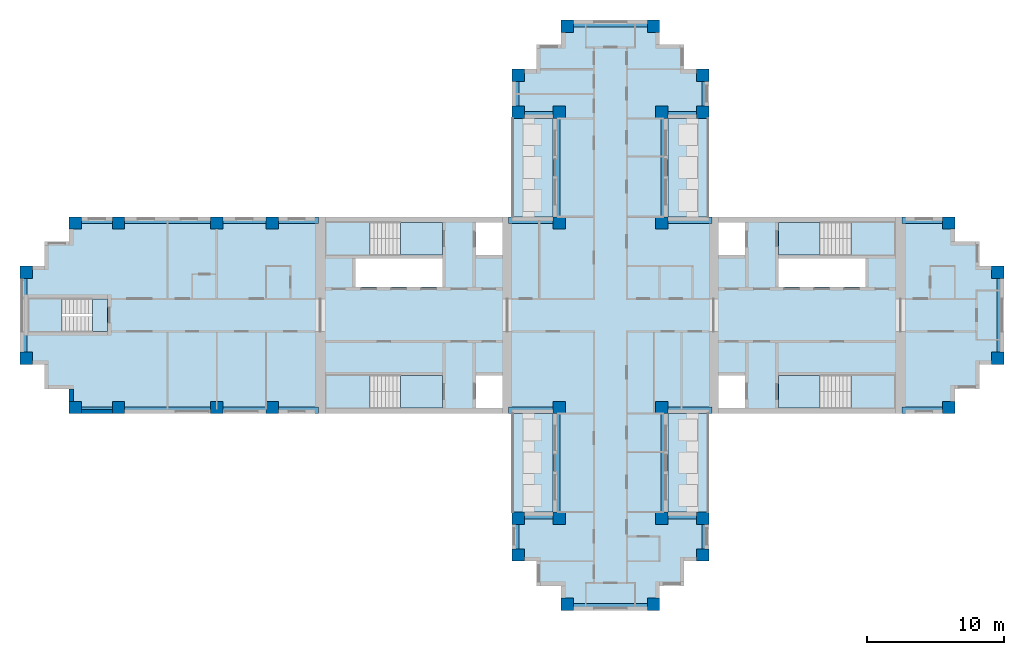
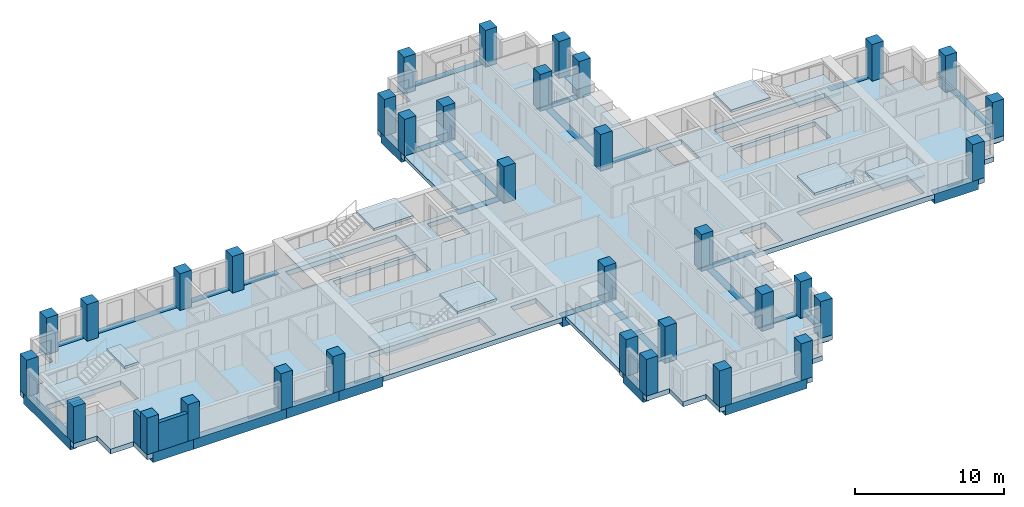
# One storey, part 1 of 10: 34 columns, 30 beams, 15 slabs, 2 walls, 5 elements without a shape of their own.
"""IFC4 building model written with IfcOpenShell, lengths in metres."""

from ifc_helpers import new_model, si_unit, direction, frame, frame_2d, origin, origin_2d, place, context, subcontext, project, spatial, polyline, rectangle, outline, extrude, material, layer, layer_set, material_profile, profile_set, type_object, element, aggregate, save


model = new_model("IFC4")

# Units and contexts
model_context = context("Model", 3, precision=1e-05, world=origin(), true_north=direction((0.0, 1.0)))
body_context = subcontext(model_context, "Body", "Model", "MODEL_VIEW")
ifc_project = project(units=[si_unit("LENGTHUNIT", "METRE"), si_unit("AREAUNIT", "SQUARE_METRE"), si_unit("VOLUMEUNIT", "CUBIC_METRE"), si_unit("PLANEANGLEUNIT", "RADIAN"), si_unit("MASSUNIT", "GRAM", prefix="KILO")], contexts=[model_context])

# Site, building, storey
site_placement = place(None, origin())
site = spatial("IfcSite", under=ifc_project, at=site_placement, CompositionType="ELEMENT")
building_placement = place(site_placement, origin())
building = spatial("IfcBuilding", under=site, at=building_placement, Name="Fustian Cross Tower", CompositionType="ELEMENT")
storey_placement = place(building_placement, frame((0.0, 0.0, 191.699951171875)))
storey = spatial("IfcBuildingStorey", under=building, at=storey_placement, Name="L60", CompositionType="ELEMENT", Elevation=191.699951171875)

# Columns
ifc_material_1 = material(Name="Concrete C40/50", Category="concrete")
ifc_material_profile_1 = material_profile(ifc_material_1, rectangle(XDim=0.89990234375, YDim=0.89990234375, at=origin_2d()), Name="RC 900x900")
ifc_profile_set_1 = profile_set([ifc_material_profile_1], Name="Concrete C40/50")
column_type = type_object("IfcColumnType", Name="COLUMN RC 900x900 C40/50", PredefinedType="COLUMN", material=ifc_profile_set_1)
for number, where, z_axis, x_axis, name in (
    (1, (-42.75, -3.14990234375, 0.0), (0.0, 0.0, 1.0), (1.0, 0.0, 0.0), "COLUMN 001"),
    (2, (-42.75, 3.14990234375, 0.0), (0.0, 0.0, 1.0), (1.0, 0.0, 0.0), "COLUMN 002"),
    (3, (-39.14990234375, -6.75, 0.0), (0.0, 0.0, 1.0), (1.0, 0.0, 0.0), "COLUMN 003"),
    (4, (-39.14990234375, 6.75, 0.0), (0.0, 0.0, 1.0), (1.0, 0.0, 0.0), "COLUMN 004"),
    (5, (-36.0, -6.75, 0.0), (0.0, 0.0, 1.0), (1.0, 0.0, 0.0), "COLUMN 005"),
    (6, (-36.0, 6.75, 0.0), (0.0, 0.0, 1.0), (1.0, 0.0, 0.0), "COLUMN 006"),
    (7, (-28.800048828125, -6.75, 0.0), (0.0, 0.0, 1.0), (1.0, 0.0, 0.0), "COLUMN 007"),
    (8, (-28.800048828125, 6.75, 0.0), (0.0, 0.0, 1.0), (1.0, 0.0, 0.0), "COLUMN 010"),
    (9, (-24.75, -6.75, 0.0), (0.0, 0.0, 1.0), (1.0, 0.0, 0.0), "COLUMN 011"),
    (10, (-24.75, 6.75, 0.0), (0.0, 0.0, 1.0), (1.0, 0.0, 0.0), "COLUMN 012"),
    (11, (-6.75, -17.550048828125, 0.0), (0.0, 0.0, 1.0), (1.0, 0.0, 0.0), "COLUMN 017"),
    (12, (-6.75, -14.85009765625, 0.0), (0.0, 0.0, 1.0), (1.0, 0.0, 0.0), "COLUMN 018"),
    (13, (-6.75, 14.85009765625, 0.0), (0.0, 0.0, 1.0), (1.0, 0.0, 0.0), "COLUMN 019"),
    (14, (-6.75, 17.550048828125, 0.0), (0.0, 0.0, 1.0), (1.0, 0.0, 0.0), "COLUMN 020"),
    (15, (-3.75, -14.85009765625, 0.0), (0.0, 0.0, 1.0), (1.0, 0.0, 0.0), "COLUMN 025"),
    (16, (-3.75, -6.75, 0.0), (0.0, 0.0, 1.0), (1.0, 0.0, 0.0), "COLUMN 026"),
    (17, (-3.75, 6.75, 0.0), (0.0, 0.0, 1.0), (1.0, 0.0, 0.0), "COLUMN 027"),
    (18, (-3.75, 14.85009765625, 0.0), (0.0, 0.0, 1.0), (1.0, 0.0, 0.0), "COLUMN 028"),
    (19, (-3.14990234375, -21.14990234375, 0.0), (0.0, 0.0, 1.0), (1.0, 0.0, 0.0), "COLUMN 030"),
    (20, (-3.14990234375, 21.14990234375, 0.0), (0.0, 0.0, 1.0), (1.0, 0.0, 0.0), "COLUMN 031"),
    (21, (3.14990234375, -21.14990234375, 0.0), (0.0, 0.0, 1.0), (1.0, 0.0, 0.0), "COLUMN 034"),
    (22, (3.14990234375, 21.14990234375, 0.0), (0.0, 0.0, 1.0), (1.0, 0.0, 0.0), "COLUMN 035"),
    (23, (3.75, -14.85009765625, 0.0), (0.0, 0.0, 1.0), (1.0, 0.0, 0.0), "COLUMN 037"),
    (24, (3.75, -6.75, 0.0), (0.0, 0.0, 1.0), (1.0, 0.0, 0.0), "COLUMN 038"),
    (25, (3.75, 6.75, 0.0), (0.0, 0.0, 1.0), (1.0, 0.0, 0.0), "COLUMN 039"),
    (26, (3.75, 14.85009765625, 0.0), (0.0, 0.0, 1.0), (1.0, 0.0, 0.0), "COLUMN 040"),
    (27, (6.75, -17.550048828125, 0.0), (0.0, 0.0, 1.0), (1.0, 0.0, 0.0), "COLUMN 045"),
    (28, (6.75, -14.85009765625, 0.0), (0.0, 0.0, 1.0), (1.0, 0.0, 0.0), "COLUMN 046"),
    (29, (6.75, 14.85009765625, 0.0), (0.0, 0.0, 1.0), (1.0, 0.0, 0.0), "COLUMN 047"),
    (30, (6.75, 17.550048828125, 0.0), (0.0, 0.0, 1.0), (1.0, 0.0, 0.0), "COLUMN 048"),
    (31, (24.75, -6.75, 0.0), (0.0, 0.0, 1.0), (1.0, 0.0, 0.0), "COLUMN 053"),
    (32, (24.75, 6.75, 0.0), (0.0, 0.0, 1.0), (1.0, 0.0, 0.0), "COLUMN 054"),
    (33, (28.35009765625, -3.14990234375, 0.0), (0.0, 0.0, 1.0), (1.0, 0.0, 0.0), "COLUMN 056"),
    (34, (28.35009765625, 3.14990234375, 0.0), (0.0, 0.0, 1.0), (1.0, 0.0, 0.0), "COLUMN 057"),
):
    element("IfcColumn", number, at=place(storey_placement, frame(where, z_axis=z_axis, x_axis=x_axis)), inside=storey, type_object=column_type, Name=name, PredefinedType="COLUMN", context=body_context, shape_type="SweptSolid", body=[
        extrude(rectangle(XDim=0.89990234375, YDim=0.89990234375, at=origin_2d()), origin(), (0.0, 0.0, 1.0), 3.0),
    ])

# Beams
ifc_material_2 = material(Name="Concrete C50/60", Category="concrete")
ifc_material_profile_2 = material_profile(ifc_material_2, rectangle(XDim=0.5, YDim=0.800048828125, at=origin_2d()), Name="RC 500x800")
ifc_profile_set_2 = profile_set([ifc_material_profile_2], Name="Concrete C50/60")
beam_type = type_object("IfcBeamType", Name="EDGE BEAM RC 500x800 C50/60", PredefinedType="SPANDREL", material=ifc_profile_set_2)
beam_1_placement = place(storey_placement, frame((21.35009765625, -6.949951171875, -0.39990234375), z_axis=(1.0, 0.0, 0.0), x_axis=(0.0, 1.0, 0.0)))
element("IfcBeam", 35, at=beam_1_placement, inside=storey, type_object=beam_type, Name="EDGE BEAM L60-01", PredefinedType="SPANDREL", context=body_context, shape_type="SweptSolid", body=[
    extrude(rectangle(XDim=0.5, YDim=0.800048828125, at=origin_2d()), origin(), (0.0, 0.0, 1.0), 3.39990234375),
])
beam_2_placement = place(storey_placement, frame((28.550048828125, -3.14990234375, -0.39990234375), z_axis=(0.0, 1.0, 0.0), x_axis=(-1.0, 0.0, 0.0)))
element("IfcBeam", 36, at=beam_2_placement, inside=storey, type_object=beam_type, Name="EDGE BEAM L60-02", PredefinedType="SPANDREL", context=body_context, shape_type="SweptSolid", body=[
    extrude(rectangle(XDim=0.5, YDim=0.800048828125, at=origin_2d()), origin(), (0.0, 0.0, 1.0), 6.2998046875),
])
beam_3_placement = place(storey_placement, frame((24.75, 6.949951171875, -0.39990234375), z_axis=(-1.0, 0.0, 0.0), x_axis=(0.0, -1.0, 0.0)))
element("IfcBeam", 37, at=beam_3_placement, inside=storey, type_object=beam_type, Name="EDGE BEAM L60-03", PredefinedType="SPANDREL", context=body_context, shape_type="SweptSolid", body=[
    extrude(rectangle(XDim=0.5, YDim=0.800048828125, at=origin_2d()), origin(), (0.0, 0.0, 1.0), 3.39990234375),
])
beam_4_placement = place(storey_placement, frame((7.449951171875, 6.949951171875, -0.39990234375), z_axis=(-1.0, 0.0, 0.0), x_axis=(0.0, -1.0, 0.0)))
element("IfcBeam", 38, at=beam_4_placement, inside=storey, type_object=beam_type, Name="EDGE BEAM L60-04", PredefinedType="SPANDREL", context=body_context, shape_type="SweptSolid", body=[
    extrude(rectangle(XDim=0.5, YDim=0.800048828125, at=origin_2d()), origin(), (0.0, 0.0, 1.0), 3.699951171875),
])
beam_5_placement = place(storey_placement, frame((3.949951171875, 6.75, -0.39990234375), z_axis=(0.0, 1.0, 0.0), x_axis=(-1.0, 0.0, 0.0)))
element("IfcBeam", 39, at=beam_5_placement, inside=storey, type_object=beam_type, Name="EDGE BEAM L60-05", PredefinedType="SPANDREL", context=body_context, shape_type="SweptSolid", body=[
    extrude(rectangle(XDim=0.5, YDim=0.800048828125, at=origin_2d()), origin(), (0.0, 0.0, 1.0), 8.10009765625),
])
beam_6_placement = place(storey_placement, frame((3.75, 14.64990234375, -0.39990234375), z_axis=(1.0, 0.0, 0.0), x_axis=(0.0, 1.0, 0.0)))
element("IfcBeam", 40, at=beam_6_placement, inside=storey, type_object=beam_type, Name="EDGE BEAM L60-06", PredefinedType="SPANDREL", context=body_context, shape_type="SweptSolid", body=[
    extrude(rectangle(XDim=0.5, YDim=0.800048828125, at=origin_2d()), origin(), (0.0, 0.0, 1.0), 3.0),
])
beam_7_placement = place(storey_placement, frame((6.949951171875, 14.85009765625, -0.39990234375), z_axis=(0.0, 1.0, 0.0), x_axis=(-1.0, 0.0, 0.0)))
element("IfcBeam", 41, at=beam_7_placement, inside=storey, type_object=beam_type, Name="EDGE BEAM L60-07", PredefinedType="SPANDREL", context=body_context, shape_type="SweptSolid", body=[
    extrude(rectangle(XDim=0.5, YDim=0.800048828125, at=origin_2d()), origin(), (0.0, 0.0, 1.0), 2.699951171875),
])
beam_8_placement = place(storey_placement, frame((3.14990234375, 21.35009765625, -0.39990234375), z_axis=(-1.0, 0.0, 0.0), x_axis=(0.0, -1.0, 0.0)))
element("IfcBeam", 42, at=beam_8_placement, inside=storey, type_object=beam_type, Name="EDGE BEAM L60-08", PredefinedType="SPANDREL", context=body_context, shape_type="SweptSolid", body=[
    extrude(rectangle(XDim=0.5, YDim=0.800048828125, at=origin_2d()), origin(), (0.0, 0.0, 1.0), 6.2998046875),
])
beam_9_placement = place(storey_placement, frame((-6.949951171875, 17.550048828125, -0.39990234375), z_axis=(0.0, -1.0, 0.0), x_axis=(1.0, 0.0, 0.0)))
element("IfcBeam", 43, at=beam_9_placement, inside=storey, type_object=beam_type, Name="EDGE BEAM L60-09", PredefinedType="SPANDREL", context=body_context, shape_type="SweptSolid", body=[
    extrude(rectangle(XDim=0.5, YDim=0.800048828125, at=origin_2d()), origin(), (0.0, 0.0, 1.0), 2.699951171875),
])
beam_10_placement = place(storey_placement, frame((-6.75, 14.64990234375, -0.39990234375), z_axis=(1.0, 0.0, 0.0), x_axis=(0.0, 1.0, 0.0)))
element("IfcBeam", 44, at=beam_10_placement, inside=storey, type_object=beam_type, Name="EDGE BEAM L60-10", PredefinedType="SPANDREL", context=body_context, shape_type="SweptSolid", body=[
    extrude(rectangle(XDim=0.5, YDim=0.800048828125, at=origin_2d()), origin(), (0.0, 0.0, 1.0), 3.0),
])
beam_11_placement = place(storey_placement, frame((-3.949951171875, 14.85009765625, -0.39990234375), z_axis=(0.0, -1.0, 0.0), x_axis=(1.0, 0.0, 0.0)))
element("IfcBeam", 45, at=beam_11_placement, inside=storey, type_object=beam_type, Name="EDGE BEAM L60-11", PredefinedType="SPANDREL", context=body_context, shape_type="SweptSolid", body=[
    extrude(rectangle(XDim=0.5, YDim=0.800048828125, at=origin_2d()), origin(), (0.0, 0.0, 1.0), 8.10009765625),
])
beam_12_placement = place(storey_placement, frame((-3.75, 6.949951171875, -0.39990234375), z_axis=(-1.0, 0.0, 0.0), x_axis=(0.0, -1.0, 0.0)))
element("IfcBeam", 46, at=beam_12_placement, inside=storey, type_object=beam_type, Name="EDGE BEAM L60-12", PredefinedType="SPANDREL", context=body_context, shape_type="SweptSolid", body=[
    extrude(rectangle(XDim=0.5, YDim=0.800048828125, at=origin_2d()), origin(), (0.0, 0.0, 1.0), 3.699951171875),
])
beam_13_placement = place(storey_placement, frame((-21.35009765625, 6.949951171875, -0.39990234375), z_axis=(-1.0, 0.0, 0.0), x_axis=(0.0, -1.0, 0.0)))
element("IfcBeam", 47, at=beam_13_placement, inside=storey, type_object=beam_type, Name="EDGE BEAM L60-13", PredefinedType="SPANDREL", context=body_context, shape_type="SweptSolid", body=[
    extrude(rectangle(XDim=0.5, YDim=0.800048828125, at=origin_2d()), origin(), (0.0, 0.0, 1.0), 3.39990234375),
])
beam_14_placement = place(storey_placement, frame((-24.75, 6.949951171875, -0.39990234375), z_axis=(-1.0, 0.0, 0.0), x_axis=(0.0, -1.0, 0.0)))
element("IfcBeam", 48, at=beam_14_placement, inside=storey, type_object=beam_type, Name="EDGE BEAM L60-14", PredefinedType="SPANDREL", context=body_context, shape_type="SweptSolid", body=[
    extrude(rectangle(XDim=0.5, YDim=0.800048828125, at=origin_2d()), origin(), (0.0, 0.0, 1.0), 4.050048828125),
])
beam_15_placement = place(storey_placement, frame((-28.800048828125, 6.949951171875, -0.39990234375), z_axis=(-1.0, 0.0, 0.0), x_axis=(0.0, -1.0, 0.0)))
element("IfcBeam", 49, at=beam_15_placement, inside=storey, type_object=beam_type, Name="EDGE BEAM L60-15", PredefinedType="SPANDREL", context=body_context, shape_type="SweptSolid", body=[
    extrude(rectangle(XDim=0.5, YDim=0.800048828125, at=origin_2d()), origin(), (0.0, 0.0, 1.0), 7.199951171875),
])
beam_16_placement = place(storey_placement, frame((-36.0, 6.949951171875, -0.39990234375), z_axis=(-1.0, 0.0, 0.0), x_axis=(0.0, -1.0, 0.0)))
element("IfcBeam", 50, at=beam_16_placement, inside=storey, type_object=beam_type, Name="EDGE BEAM L60-16", PredefinedType="SPANDREL", context=body_context, shape_type="SweptSolid", body=[
    extrude(rectangle(XDim=0.5, YDim=0.800048828125, at=origin_2d()), origin(), (0.0, 0.0, 1.0), 3.14990234375),
])
beam_17_placement = place(storey_placement, frame((-42.949951171875, 3.14990234375, -0.39990234375), z_axis=(0.0, -1.0, 0.0), x_axis=(1.0, 0.0, 0.0)))
element("IfcBeam", 51, at=beam_17_placement, inside=storey, type_object=beam_type, Name="EDGE BEAM L60-17", PredefinedType="SPANDREL", context=body_context, shape_type="SweptSolid", body=[
    extrude(rectangle(XDim=0.5, YDim=0.800048828125, at=origin_2d()), origin(), (0.0, 0.0, 1.0), 6.2998046875),
])
beam_18_placement = place(storey_placement, frame((-39.14990234375, -6.949951171875, -0.39990234375), z_axis=(1.0, 0.0, 0.0), x_axis=(0.0, 1.0, 0.0)))
element("IfcBeam", 52, at=beam_18_placement, inside=storey, type_object=beam_type, Name="EDGE BEAM L60-18", PredefinedType="SPANDREL", context=body_context, shape_type="SweptSolid", body=[
    extrude(rectangle(XDim=0.5, YDim=0.800048828125, at=origin_2d()), origin(), (0.0, 0.0, 1.0), 3.14990234375),
])
beam_19_placement = place(storey_placement, frame((-36.0, -6.949951171875, -0.39990234375), z_axis=(1.0, 0.0, 0.0), x_axis=(0.0, 1.0, 0.0)))
element("IfcBeam", 53, at=beam_19_placement, inside=storey, type_object=beam_type, Name="EDGE BEAM L60-19", PredefinedType="SPANDREL", context=body_context, shape_type="SweptSolid", body=[
    extrude(rectangle(XDim=0.5, YDim=0.800048828125, at=origin_2d()), origin(), (0.0, 0.0, 1.0), 7.199951171875),
])
beam_20_placement = place(storey_placement, frame((-28.800048828125, -6.949951171875, -0.39990234375), z_axis=(1.0, 0.0, 0.0), x_axis=(0.0, 1.0, 0.0)))
element("IfcBeam", 54, at=beam_20_placement, inside=storey, type_object=beam_type, Name="EDGE BEAM L60-20", PredefinedType="SPANDREL", context=body_context, shape_type="SweptSolid", body=[
    extrude(rectangle(XDim=0.5, YDim=0.800048828125, at=origin_2d()), origin(), (0.0, 0.0, 1.0), 4.050048828125),
])
beam_21_placement = place(storey_placement, frame((-24.75, -6.949951171875, -0.39990234375), z_axis=(1.0, 0.0, 0.0), x_axis=(0.0, 1.0, 0.0)))
element("IfcBeam", 55, at=beam_21_placement, inside=storey, type_object=beam_type, Name="EDGE BEAM L60-21", PredefinedType="SPANDREL", context=body_context, shape_type="SweptSolid", body=[
    extrude(rectangle(XDim=0.5, YDim=0.800048828125, at=origin_2d()), origin(), (0.0, 0.0, 1.0), 3.39990234375),
])
beam_22_placement = place(storey_placement, frame((-7.449951171875, -6.949951171875, -0.39990234375), z_axis=(1.0, 0.0, 0.0), x_axis=(0.0, 1.0, 0.0)))
element("IfcBeam", 56, at=beam_22_placement, inside=storey, type_object=beam_type, Name="EDGE BEAM L60-22", PredefinedType="SPANDREL", context=body_context, shape_type="SweptSolid", body=[
    extrude(rectangle(XDim=0.5, YDim=0.800048828125, at=origin_2d()), origin(), (0.0, 0.0, 1.0), 3.699951171875),
])
beam_23_placement = place(storey_placement, frame((-3.949951171875, -6.75, -0.39990234375), z_axis=(0.0, -1.0, 0.0), x_axis=(1.0, 0.0, 0.0)))
element("IfcBeam", 57, at=beam_23_placement, inside=storey, type_object=beam_type, Name="EDGE BEAM L60-23", PredefinedType="SPANDREL", context=body_context, shape_type="SweptSolid", body=[
    extrude(rectangle(XDim=0.5, YDim=0.800048828125, at=origin_2d()), origin(), (0.0, 0.0, 1.0), 8.10009765625),
])
beam_24_placement = place(storey_placement, frame((-3.75, -14.64990234375, -0.39990234375), z_axis=(-1.0, 0.0, 0.0), x_axis=(0.0, -1.0, 0.0)))
element("IfcBeam", 58, at=beam_24_placement, inside=storey, type_object=beam_type, Name="EDGE BEAM L60-24", PredefinedType="SPANDREL", context=body_context, shape_type="SweptSolid", body=[
    extrude(rectangle(XDim=0.5, YDim=0.800048828125, at=origin_2d()), origin(), (0.0, 0.0, 1.0), 3.0),
])
beam_25_placement = place(storey_placement, frame((-6.949951171875, -14.85009765625, -0.39990234375), z_axis=(0.0, -1.0, 0.0), x_axis=(1.0, 0.0, 0.0)))
element("IfcBeam", 59, at=beam_25_placement, inside=storey, type_object=beam_type, Name="EDGE BEAM L60-25", PredefinedType="SPANDREL", context=body_context, shape_type="SweptSolid", body=[
    extrude(rectangle(XDim=0.5, YDim=0.800048828125, at=origin_2d()), origin(), (0.0, 0.0, 1.0), 2.699951171875),
])
beam_26_placement = place(storey_placement, frame((-3.14990234375, -21.35009765625, -0.39990234375), z_axis=(1.0, 0.0, 0.0), x_axis=(0.0, 1.0, 0.0)))
element("IfcBeam", 60, at=beam_26_placement, inside=storey, type_object=beam_type, Name="EDGE BEAM L60-26", PredefinedType="SPANDREL", context=body_context, shape_type="SweptSolid", body=[
    extrude(rectangle(XDim=0.5, YDim=0.800048828125, at=origin_2d()), origin(), (0.0, 0.0, 1.0), 6.2998046875),
])
beam_27_placement = place(storey_placement, frame((6.949951171875, -17.550048828125, -0.39990234375), z_axis=(0.0, 1.0, 0.0), x_axis=(-1.0, 0.0, 0.0)))
element("IfcBeam", 61, at=beam_27_placement, inside=storey, type_object=beam_type, Name="EDGE BEAM L60-27", PredefinedType="SPANDREL", context=body_context, shape_type="SweptSolid", body=[
    extrude(rectangle(XDim=0.5, YDim=0.800048828125, at=origin_2d()), origin(), (0.0, 0.0, 1.0), 2.699951171875),
])
beam_28_placement = place(storey_placement, frame((6.75, -14.64990234375, -0.39990234375), z_axis=(-1.0, 0.0, 0.0), x_axis=(0.0, -1.0, 0.0)))
element("IfcBeam", 62, at=beam_28_placement, inside=storey, type_object=beam_type, Name="EDGE BEAM L60-28", PredefinedType="SPANDREL", context=body_context, shape_type="SweptSolid", body=[
    extrude(rectangle(XDim=0.5, YDim=0.800048828125, at=origin_2d()), origin(), (0.0, 0.0, 1.0), 3.0),
])
beam_29_placement = place(storey_placement, frame((3.949951171875, -14.85009765625, -0.39990234375), z_axis=(0.0, 1.0, 0.0), x_axis=(-1.0, 0.0, 0.0)))
element("IfcBeam", 63, at=beam_29_placement, inside=storey, type_object=beam_type, Name="EDGE BEAM L60-29", PredefinedType="SPANDREL", context=body_context, shape_type="SweptSolid", body=[
    extrude(rectangle(XDim=0.5, YDim=0.800048828125, at=origin_2d()), origin(), (0.0, 0.0, 1.0), 8.10009765625),
])
beam_30_placement = place(storey_placement, frame((3.75, -6.949951171875, -0.39990234375), z_axis=(1.0, 0.0, 0.0), x_axis=(0.0, 1.0, 0.0)))
element("IfcBeam", 64, at=beam_30_placement, inside=storey, type_object=beam_type, Name="EDGE BEAM L60-30", PredefinedType="SPANDREL", context=body_context, shape_type="SweptSolid", body=[
    extrude(rectangle(XDim=0.5, YDim=0.800048828125, at=origin_2d()), origin(), (0.0, 0.0, 1.0), 3.699951171875),
])

# Slabs
ifc_material_3 = material(Name="Concrete C40/50", Category="concrete")
ifc_layer_1 = layer(ifc_material_3, 0.300048828125)
ifc_layer_set_1 = layer_set([ifc_layer_1], Name="Concrete C40/50")
slab_type_1 = type_object("IfcSlabType", Name="BS1 BALCONY SLAB 300", PredefinedType="FLOOR", material=ifc_layer_set_1)
slab_1_placement = place(storey_placement, frame((0.0, 0.0, -0.300048828125)))
element("IfcSlab", 65, at=slab_1_placement, inside=storey, type_object=slab_type_1, Name="Balcony slab", PredefinedType="FLOOR", context=body_context, shape_type="SweptSolid", body=[
    extrude(outline(polyline([(4.199951171875, 7.199951171875), (7.199951171875, 7.199951171875), (7.199951171875, 14.39990234375), (4.199951171875, 14.39990234375), (4.199951171875, 7.199951171875)])), origin(), (0.0, 0.0, 1.0), 0.300048828125),
])
slab_2_placement = place(storey_placement, frame((0.0, 0.0, -0.300048828125)))
element("IfcSlab", 66, at=slab_2_placement, inside=storey, type_object=slab_type_1, Name="Balcony slab", PredefinedType="FLOOR", context=body_context, shape_type="SweptSolid", body=[
    extrude(outline(polyline([(-7.199951171875, 7.199951171875), (-4.199951171875, 7.199951171875), (-4.199951171875, 14.39990234375), (-7.199951171875, 14.39990234375), (-7.199951171875, 7.199951171875)])), origin(), (0.0, 0.0, 1.0), 0.300048828125),
])
slab_3_placement = place(storey_placement, frame((0.0, 0.0, -0.300048828125)))
element("IfcSlab", 67, at=slab_3_placement, inside=storey, type_object=slab_type_1, Name="Balcony slab", PredefinedType="FLOOR", context=body_context, shape_type="SweptSolid", body=[
    extrude(outline(polyline([(4.199951171875, -14.39990234375), (7.199951171875, -14.39990234375), (7.199951171875, -7.199951171875), (4.199951171875, -7.199951171875), (4.199951171875, -14.39990234375)])), origin(), (0.0, 0.0, 1.0), 0.300048828125),
])
slab_4_placement = place(storey_placement, frame((0.0, 0.0, -0.300048828125)))
element("IfcSlab", 68, at=slab_4_placement, inside=storey, type_object=slab_type_1, Name="Balcony slab", PredefinedType="FLOOR", context=body_context, shape_type="SweptSolid", body=[
    extrude(outline(polyline([(-7.199951171875, -14.39990234375), (-4.199951171875, -14.39990234375), (-4.199951171875, -7.199951171875), (-7.199951171875, -7.199951171875), (-7.199951171875, -14.39990234375)])), origin(), (0.0, 0.0, 1.0), 0.300048828125),
])
ifc_material_4 = material(Name="Concrete C40/50", Category="concrete")
ifc_layer_2 = layer(ifc_material_4, 0.39990234375)
ifc_layer_set_2 = layer_set([ifc_layer_2], Name="Concrete C40/50")
slab_type_2 = type_object("IfcSlabType", Name="FLAT SLAB 400", PredefinedType="FLOOR", material=ifc_layer_set_2)
slab_5_placement = place(storey_placement, frame((0.0, 0.0, -0.39990234375)))
element("IfcSlab", 69, at=slab_5_placement, inside=storey, type_object=slab_type_2, Name="FLOOR SLAB L60-1", PredefinedType="FLOOR", context=body_context, shape_type="SweptSolid", body=[
    extrude(outline(polyline([(-5.39990234375, -19.800048828125), (-5.39990234375, -18.0), (-7.199951171875, -18.0), (-7.199951171875, -14.39990234375), (-4.199951171875, -14.39990234375), (-4.199951171875, -7.199951171875), (-39.60009765625, -7.199951171875), (-39.60009765625, -5.39990234375), (-41.39990234375, -5.39990234375), (-41.39990234375, -3.60009765625), (-43.199951171875, -3.60009765625), (-43.199951171875, 3.60009765625), (-41.39990234375, 3.60009765625), (-41.39990234375, 5.39990234375), (-39.60009765625, 5.39990234375), (-39.60009765625, 7.199951171875), (-4.199951171875, 7.199951171875), (-4.199951171875, 14.39990234375), (-7.199951171875, 14.39990234375), (-7.199951171875, 18.0), (-5.39990234375, 18.0), (-5.39990234375, 19.800048828125), (-3.60009765625, 19.800048828125), (-3.60009765625, 21.60009765625), (3.60009765625, 21.60009765625), (3.60009765625, 19.800048828125), (5.39990234375, 19.800048828125), (5.39990234375, 18.0), (7.199951171875, 18.0), (7.199951171875, 14.39990234375), (4.199951171875, 14.39990234375), (4.199951171875, 7.199951171875), (25.199951171875, 7.199951171875), (25.199951171875, 5.39990234375), (27.0, 5.39990234375), (27.0, 3.60009765625), (28.800048828125, 3.60009765625), (28.800048828125, -3.60009765625), (27.0, -3.60009765625), (27.0, -5.39990234375), (25.199951171875, -5.39990234375), (25.199951171875, -7.199951171875), (4.199951171875, -7.199951171875), (4.199951171875, -14.39990234375), (7.199951171875, -14.39990234375), (7.199951171875, -18.0), (5.39990234375, -18.0), (5.39990234375, -19.800048828125), (3.60009765625, -19.800048828125), (3.60009765625, -21.60009765625), (-3.60009765625, -21.60009765625), (-3.60009765625, -19.800048828125), (-5.39990234375, -19.800048828125)]), holes=[polyline([(7.89990234375, 4.39990234375), (9.85009765625, 4.39990234375), (9.85009765625, 6.800048828125), (7.89990234375, 6.800048828125), (7.89990234375, 4.39990234375)]), polyline([(7.89990234375, -4.39990234375), (7.89990234375, -6.800048828125), (9.85009765625, -6.800048828125), (9.85009765625, -4.39990234375), (7.89990234375, -4.39990234375)]), polyline([(-7.89990234375, 6.800048828125), (-9.85009765625, 6.800048828125), (-9.85009765625, 4.39990234375), (-7.89990234375, 4.39990234375), (-7.89990234375, 6.800048828125)]), polyline([(-7.89990234375, -6.800048828125), (-7.89990234375, -4.39990234375), (-9.85009765625, -4.39990234375), (-9.85009765625, -6.800048828125), (-7.89990234375, -6.800048828125)]), polyline([(12.300048828125, 2.050048828125), (18.64990234375, 2.050048828125), (18.64990234375, 4.14990234375), (12.300048828125, 4.14990234375), (12.300048828125, 2.050048828125)]), polyline([(-18.64990234375, 4.14990234375), (-18.64990234375, 2.050048828125), (-12.300048828125, 2.050048828125), (-12.300048828125, 4.14990234375), (-18.64990234375, 4.14990234375)]), polyline([(20.85009765625, 6.699951171875), (12.300048828125, 6.699951171875), (12.300048828125, 4.39990234375), (20.85009765625, 4.39990234375), (20.85009765625, 6.699951171875)]), polyline([(20.85009765625, -6.699951171875), (20.85009765625, -4.39990234375), (12.300048828125, -4.39990234375), (12.300048828125, -6.699951171875), (20.85009765625, -6.699951171875)]), polyline([(-20.85009765625, 4.39990234375), (-12.300048828125, 4.39990234375), (-12.300048828125, 6.699951171875), (-20.85009765625, 6.699951171875), (-20.85009765625, 4.39990234375)]), polyline([(-20.85009765625, -4.39990234375), (-20.85009765625, -6.699951171875), (-12.300048828125, -6.699951171875), (-12.300048828125, -4.39990234375), (-20.85009765625, -4.39990234375)]), polyline([(-36.800048828125, 1.199951171875), (-42.60009765625, 1.199951171875), (-42.60009765625, -1.199951171875), (-36.800048828125, -1.199951171875), (-36.800048828125, 1.199951171875)])]), origin(), (0.0, 0.0, 1.0), 0.39990234375),
])

# Stair, slabs
ifc_material_5 = material(Name="Concrete C50/60", Category="concrete")
stair_type_1 = type_object("IfcStairType", Name="STAIR 1200 HALF TURN", PredefinedType="HALF_TURN_STAIR", material=ifc_material_5)
stair_1_placement = place(storey_placement, origin())
stair_1 = element("IfcStair", 70, at=stair_1_placement, inside=storey, type_object=stair_type_1, Name="Stair ST1", PredefinedType="HALF_TURN_STAIR")
ifc_material_6 = material(Name="Concrete C50/60", Category="concrete")
ifc_layer_3 = layer(ifc_material_6, 0.199951171875)
ifc_layer_set_3 = layer_set([ifc_layer_3], Name="Concrete C50/60")
slab_type_3 = type_object("IfcSlabType", Name="STAIR LANDING", PredefinedType="LANDING", material=ifc_layer_set_3)
slab_6_placement = place(storey_placement, frame((0.0, 0.0, 1.300048828125)))
slab_6 = element("IfcSlab", 71, at=slab_6_placement, type_object=slab_type_3, Name="ST1 landing 1", PredefinedType="LANDING", context=body_context, shape_type="SweptSolid", body=[
    extrude(outline(polyline([(17.590087890625, 4.39990234375), (20.85009765625, 4.39990234375), (20.85009765625, 6.800048828125), (17.590087890625, 6.800048828125), (17.590087890625, 4.39990234375)])), origin(), (0.0, 0.0, 1.0), 0.199951171875),
])
slab_7_placement = place(storey_placement, frame((0.0, 0.0, 2.800048828125)))
slab_7 = element("IfcSlab", 72, at=slab_7_placement, type_object=slab_type_3, Name="ST1 landing 2", PredefinedType="LANDING", context=body_context, shape_type="SweptSolid", body=[
    extrude(outline(polyline([(12.300048828125, 4.39990234375), (15.35009765625, 4.39990234375), (15.35009765625, 6.800048828125), (12.300048828125, 6.800048828125), (12.300048828125, 4.39990234375)])), origin(), (0.0, 0.0, 1.0), 0.199951171875),
])
aggregate(stair_1, [slab_6, slab_7])

stair_2_placement = place(storey_placement, origin())
stair_2 = element("IfcStair", 73, at=stair_2_placement, inside=storey, type_object=stair_type_1, Name="Stair ST2", PredefinedType="HALF_TURN_STAIR")
slab_8_placement = place(storey_placement, frame((0.0, 0.0, 1.300048828125)))
slab_8 = element("IfcSlab", 74, at=slab_8_placement, type_object=slab_type_3, Name="ST2 landing 1", PredefinedType="LANDING", context=body_context, shape_type="SweptSolid", body=[
    extrude(outline(polyline([(17.590087890625, -4.39990234375), (20.85009765625, -4.39990234375), (20.85009765625, -6.800048828125), (17.590087890625, -6.800048828125), (17.590087890625, -4.39990234375)])), origin(), (0.0, 0.0, 1.0), 0.199951171875),
])
slab_9_placement = place(storey_placement, frame((0.0, 0.0, 2.800048828125)))
slab_9 = element("IfcSlab", 75, at=slab_9_placement, type_object=slab_type_3, Name="ST2 landing 2", PredefinedType="LANDING", context=body_context, shape_type="SweptSolid", body=[
    extrude(outline(polyline([(12.300048828125, -4.39990234375), (15.35009765625, -4.39990234375), (15.35009765625, -6.800048828125), (12.300048828125, -6.800048828125), (12.300048828125, -4.39990234375)])), origin(), (0.0, 0.0, 1.0), 0.199951171875),
])
aggregate(stair_2, [slab_8, slab_9])

stair_3_placement = place(storey_placement, origin())
stair_3 = element("IfcStair", 76, at=stair_3_placement, inside=storey, type_object=stair_type_1, Name="Stair ST3", PredefinedType="HALF_TURN_STAIR")
slab_10_placement = place(storey_placement, frame((0.0, 0.0, 1.300048828125)))
slab_10 = element("IfcSlab", 77, at=slab_10_placement, type_object=slab_type_3, Name="ST3 landing 1", PredefinedType="LANDING", context=body_context, shape_type="SweptSolid", body=[
    extrude(outline(polyline([(-17.590087890625, 4.39990234375), (-20.85009765625, 4.39990234375), (-20.85009765625, 6.800048828125), (-17.590087890625, 6.800048828125), (-17.590087890625, 4.39990234375)])), origin(), (0.0, 0.0, 1.0), 0.199951171875),
])
slab_11_placement = place(storey_placement, frame((0.0, 0.0, 2.800048828125)))
slab_11 = element("IfcSlab", 78, at=slab_11_placement, type_object=slab_type_3, Name="ST3 landing 2", PredefinedType="LANDING", context=body_context, shape_type="SweptSolid", body=[
    extrude(outline(polyline([(-12.300048828125, 4.39990234375), (-15.35009765625, 4.39990234375), (-15.35009765625, 6.800048828125), (-12.300048828125, 6.800048828125), (-12.300048828125, 4.39990234375)])), origin(), (0.0, 0.0, 1.0), 0.199951171875),
])
aggregate(stair_3, [slab_10, slab_11])

stair_4_placement = place(storey_placement, origin())
stair_4 = element("IfcStair", 79, at=stair_4_placement, inside=storey, type_object=stair_type_1, Name="Stair ST4", PredefinedType="HALF_TURN_STAIR")
slab_12_placement = place(storey_placement, frame((0.0, 0.0, 1.300048828125)))
slab_12 = element("IfcSlab", 80, at=slab_12_placement, type_object=slab_type_3, Name="ST4 landing 1", PredefinedType="LANDING", context=body_context, shape_type="SweptSolid", body=[
    extrude(outline(polyline([(-17.590087890625, -4.39990234375), (-20.85009765625, -4.39990234375), (-20.85009765625, -6.800048828125), (-17.590087890625, -6.800048828125), (-17.590087890625, -4.39990234375)])), origin(), (0.0, 0.0, 1.0), 0.199951171875),
])
slab_13_placement = place(storey_placement, frame((0.0, 0.0, 2.800048828125)))
slab_13 = element("IfcSlab", 81, at=slab_13_placement, type_object=slab_type_3, Name="ST4 landing 2", PredefinedType="LANDING", context=body_context, shape_type="SweptSolid", body=[
    extrude(outline(polyline([(-12.300048828125, -4.39990234375), (-15.35009765625, -4.39990234375), (-15.35009765625, -6.800048828125), (-12.300048828125, -6.800048828125), (-12.300048828125, -4.39990234375)])), origin(), (0.0, 0.0, 1.0), 0.199951171875),
])
aggregate(stair_4, [slab_12, slab_13])

ifc_material_7 = material(Name="Concrete C50/60", Category="concrete")
stair_type_2 = type_object("IfcStairType", Name="STAIR 1100 HALF TURN", PredefinedType="HALF_TURN_STAIR", material=ifc_material_7)
stair_5_placement = place(storey_placement, origin())
stair_5 = element("IfcStair", 82, at=stair_5_placement, inside=storey, type_object=stair_type_2, Name="Stair ST9", PredefinedType="HALF_TURN_STAIR")
slab_14_placement = place(storey_placement, frame((0.0, 0.0, 1.300048828125)))
slab_14 = element("IfcSlab", 83, at=slab_14_placement, type_object=slab_type_3, Name="ST9 landing 1", PredefinedType="LANDING", context=body_context, shape_type="SweptSolid", body=[
    extrude(outline(polyline([(-40.139892578125, -1.199951171875), (-42.60009765625, -1.199951171875), (-42.60009765625, 1.199951171875), (-40.139892578125, 1.199951171875), (-40.139892578125, -1.199951171875)])), origin(), (0.0, 0.0, 1.0), 0.199951171875),
])
slab_15_placement = place(storey_placement, frame((0.0, 0.0, 2.800048828125)))
slab_15 = element("IfcSlab", 84, at=slab_15_placement, type_object=slab_type_3, Name="ST9 landing 2", PredefinedType="LANDING", context=body_context, shape_type="SweptSolid", body=[
    extrude(outline(polyline([(-36.800048828125, -1.199951171875), (-37.89990234375, -1.199951171875), (-37.89990234375, 1.199951171875), (-36.800048828125, 1.199951171875), (-36.800048828125, -1.199951171875)])), origin(), (0.0, 0.0, 1.0), 0.199951171875),
])
aggregate(stair_5, [slab_14, slab_15])

# Walls
ifc_material_8 = material(Name="Dark aluminium cladding on insulated backing wall", Category="aluminium")
ifc_layer_4 = layer(ifc_material_8, 0.300048828125)
ifc_layer_set_4 = layer_set([ifc_layer_4], Name="Dark aluminium cladding on insulated backing wall")
wall_type = type_object("IfcWallType", Name="XW1 EXTERNAL WALL 300", PredefinedType="SOLIDWALL", material=ifc_layer_set_4)
wall_1_placement = place(storey_placement, frame((-39.449951171875, -5.39990234375, 0.0), z_axis=(0.0, 0.0, 1.0), x_axis=(0.0, -1.0, 0.0)))
element("IfcWall", 85, at=wall_1_placement, inside=storey, type_object=wall_type, Name="External wall", PredefinedType="SOLIDWALL", context=body_context, shape_type="SweptSolid", body=[
    extrude(rectangle(XDim=0.900146484375, YDim=0.300048828125, at=frame_2d((0.4501953125, 0.0))), origin(), (0.0, 0.0, 1.0), 2.550048828125),
])
wall_2_placement = place(storey_placement, frame((-38.699951171875, -7.050048828125, 0.0), z_axis=(0.0, 0.0, 1.0), x_axis=(1.0, 0.0, 0.0)))
element("IfcWall", 86, at=wall_2_placement, inside=storey, type_object=wall_type, Name="External wall", PredefinedType="SOLIDWALL", context=body_context, shape_type="SweptSolid", body=[
    extrude(rectangle(XDim=2.25, YDim=0.300048828125, at=frame_2d((1.125, 0.0))), origin(), (0.0, 0.0, 1.0), 2.300048828125),
])

save(model, "model.ifc")
